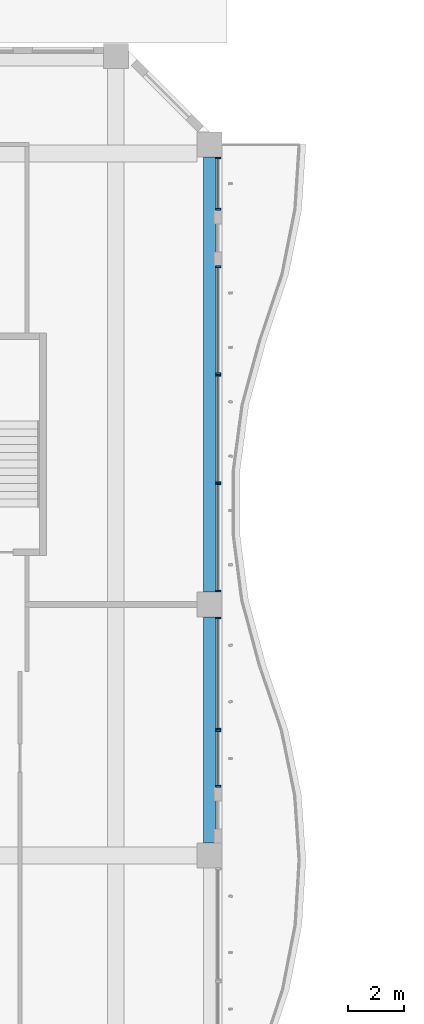
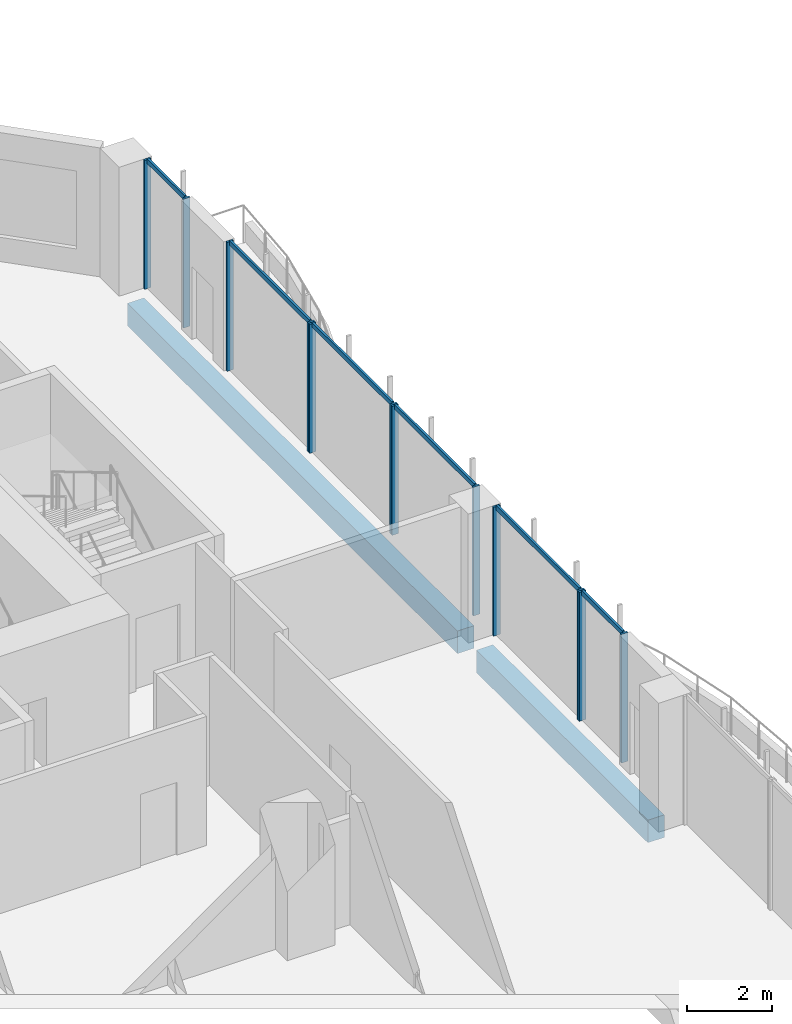
# One storey, part 9 of 29: 18 members, 2 beams, 6 elements without a shape of their own.
"""IFC4 building model written with IfcOpenShell, lengths in metres."""

from ifc_helpers import new_model, si_unit, direction, frame, origin, origin_2d, place, context, subcontext, project, spatial, rectangle, extrude, source, transform, mapped, material, material_profile, profile_set, type_object, element, aggregate, save


model = new_model("IFC4")

# Units and contexts
model_context = context("Model", 3, precision=1e-05, world=origin(), true_north=direction((0.0, 1.0)))
body_context = subcontext(model_context, "Body", "Model", "MODEL_VIEW")
ifc_project = project(units=[si_unit("LENGTHUNIT", "METRE"), si_unit("AREAUNIT", "SQUARE_METRE"), si_unit("VOLUMEUNIT", "CUBIC_METRE"), si_unit("PLANEANGLEUNIT", "RADIAN"), si_unit("MASSUNIT", "GRAM", prefix="KILO")], contexts=[model_context])

# Site, building, storey
site_placement = place(None, origin())
site = spatial("IfcSite", under=ifc_project, at=site_placement, CompositionType="ELEMENT")
building_placement = place(site_placement, origin())
building = spatial("IfcBuilding", under=site, at=building_placement, Name="Kilnfold Tower and Market Hall", CompositionType="ELEMENT")
storey_placement = place(building_placement, frame((0.0, 0.0, 27.0)))
storey = spatial("IfcBuildingStorey", under=building, at=storey_placement, Name="L05", CompositionType="ELEMENT", Elevation=27.0)

# Beams
ifc_material_1 = material(Name="Concrete C45", Category="concrete")
ifc_material_profile_1 = material_profile(ifc_material_1, rectangle(XDim=0.449951171875, YDim=0.64990234375, at=origin_2d()), Name="RC 450x650")
ifc_profile_set_1 = profile_set([ifc_material_profile_1], Name="Concrete C45")
beam_type = type_object("IfcBeamType", Name="EDGE BEAM 450X650 C45", PredefinedType="BEAM", material=ifc_profile_set_1)
shared_shape_1 = source(origin(), body_context, "Body", "SweptSolid", [
    extrude(rectangle(XDim=0.449951171875, YDim=0.64990234375, at=origin_2d()), origin(), (0.0, 0.0, 1.0), 8.10009765625),
])
beam_1_placement = place(storey_placement, frame((27.550048828125, -0.550048828125, -0.60498046875), z_axis=(0.0, 1.0, 0.0), x_axis=(-1.0, 0.0, 0.0)))
element("IfcBeam", 1, at=beam_1_placement, inside=storey, type_object=beam_type, Name="Beam EB650-B1.53", PredefinedType="BEAM", context=body_context, shape_type="MappedRepresentation", body=[
    mapped(shared_shape_1, transform((0.0, 0.0, 0.0))),
])
shared_shape_2 = source(origin(), body_context, "Body", "SweptSolid", [
    extrude(rectangle(XDim=0.449951171875, YDim=0.64990234375, at=origin_2d()), origin(), (0.0, 0.0, 1.0), 15.60009765625),
])
beam_2_placement = place(storey_placement, frame((27.550048828125, 8.449951171875, -0.60498046875), z_axis=(0.0, 1.0, 0.0), x_axis=(-1.0, 0.0, 0.0)))
element("IfcBeam", 2, at=beam_2_placement, inside=storey, type_object=beam_type, Name="Beam EB650-B1.59", PredefinedType="BEAM", context=body_context, shape_type="MappedRepresentation", body=[
    mapped(shared_shape_2, transform((0.0, 0.0, 0.0))),
])

# Curtain wall, members
ifc_material_2 = material(Name="Aluminium and double glazing", Category="aluminium")
curtain_wall_type = type_object("IfcCurtainWallType", Name="CW OF1 VALLEY GLAZING", PredefinedType="NOTDEFINED", material=ifc_material_2)
curtain_wall_1_placement = place(storey_placement, origin())
curtain_wall_1 = element("IfcCurtainWall", 3, at=curtain_wall_1_placement, inside=storey, type_object=curtain_wall_type, Name="Curtain wall CW1 L05 E", PredefinedType="NOTDEFINED")
ifc_material_3 = material(Name="Aluminium", Category="aluminium")
ifc_material_profile_2 = material_profile(ifc_material_3, rectangle(XDim=0.06005859375, YDim=0.179931640625, at=origin_2d()), Name="MULLION 60x180")
ifc_profile_set_2 = profile_set([ifc_material_profile_2], Name="Aluminium")
member_type_1 = type_object("IfcMemberType", Name="MULLION 60X180", PredefinedType="MULLION", material=ifc_profile_set_2)
shared_shape_3 = source(origin(), body_context, "Body", "SweptSolid", [
    extrude(rectangle(XDim=0.06005859375, YDim=0.179931640625, at=origin_2d()), origin(), (0.0, 0.0, 1.0), 3.719970703125),
])
member_1_placement = place(storey_placement, frame((27.85009765625, 1.47998046875, 0.0), z_axis=(0.0, 0.0, 1.0), x_axis=(0.0, 1.0, 0.0)))
member_1 = element("IfcMember", 4, at=member_1_placement, type_object=member_type_1, Name="CW1 mullion 1", PredefinedType="MULLION", context=body_context, shape_type="MappedRepresentation", body=[
    mapped(shared_shape_3, transform((0.0, 0.0, 0.0))),
])
member_2_placement = place(storey_placement, frame((27.85009765625, 3.469970703125, 0.0), z_axis=(0.0, 0.0, 1.0), x_axis=(0.0, 1.0, 0.0)))
member_2 = element("IfcMember", 5, at=member_2_placement, type_object=member_type_1, Name="CW1 mullion 2", PredefinedType="MULLION", context=body_context, shape_type="MappedRepresentation", body=[
    mapped(shared_shape_3, transform((0.0, 0.0, 0.0))),
])

curtain_wall_2_placement = place(storey_placement, origin())
curtain_wall_2 = element("IfcCurtainWall", 6, at=curtain_wall_2_placement, inside=storey, type_object=curtain_wall_type, Name="Curtain wall CW1 L05 E", PredefinedType="NOTDEFINED")
member_3_placement = place(storey_placement, frame((27.85009765625, 3.530029296875, 0.0), z_axis=(0.0, 0.0, 1.0), x_axis=(0.0, 1.0, 0.0)))
member_3 = element("IfcMember", 7, at=member_3_placement, type_object=member_type_1, Name="CW1 mullion 1", PredefinedType="MULLION", context=body_context, shape_type="MappedRepresentation", body=[
    mapped(shared_shape_3, transform((0.0, 0.0, 0.0))),
])
member_4_placement = place(storey_placement, frame((27.85009765625, 7.52001953125, 0.0), z_axis=(0.0, 0.0, 1.0), x_axis=(0.0, 1.0, 0.0)))
member_4 = element("IfcMember", 8, at=member_4_placement, type_object=member_type_1, Name="CW1 mullion 2", PredefinedType="MULLION", context=body_context, shape_type="MappedRepresentation", body=[
    mapped(shared_shape_3, transform((0.0, 0.0, 0.0))),
])

curtain_wall_3_placement = place(storey_placement, origin())
curtain_wall_3 = element("IfcCurtainWall", 9, at=curtain_wall_3_placement, inside=storey, type_object=curtain_wall_type, Name="Curtain wall CW1 L05 E", PredefinedType="NOTDEFINED")
member_5_placement = place(storey_placement, frame((27.85009765625, 8.47998046875, 0.0), z_axis=(0.0, 0.0, 1.0), x_axis=(0.0, 1.0, 0.0)))
member_5 = element("IfcMember", 10, at=member_5_placement, type_object=member_type_1, Name="CW1 mullion 1", PredefinedType="MULLION", context=body_context, shape_type="MappedRepresentation", body=[
    mapped(shared_shape_3, transform((0.0, 0.0, 0.0))),
])
member_6_placement = place(storey_placement, frame((27.85009765625, 12.320068359375, 0.0), z_axis=(0.0, 0.0, 1.0), x_axis=(0.0, 1.0, 0.0)))
member_6 = element("IfcMember", 11, at=member_6_placement, type_object=member_type_1, Name="CW1 mullion 2", PredefinedType="MULLION", context=body_context, shape_type="MappedRepresentation", body=[
    mapped(shared_shape_3, transform((0.0, 0.0, 0.0))),
])

curtain_wall_4_placement = place(storey_placement, origin())
curtain_wall_4 = element("IfcCurtainWall", 12, at=curtain_wall_4_placement, inside=storey, type_object=curtain_wall_type, Name="Curtain wall CW1 L05 E", PredefinedType="NOTDEFINED")
member_7_placement = place(storey_placement, frame((27.85009765625, 12.3798828125, 0.0), z_axis=(0.0, 0.0, 1.0), x_axis=(0.0, 1.0, 0.0)))
member_7 = element("IfcMember", 13, at=member_7_placement, type_object=member_type_1, Name="CW1 mullion 1", PredefinedType="MULLION", context=body_context, shape_type="MappedRepresentation", body=[
    mapped(shared_shape_3, transform((0.0, 0.0, 0.0))),
])
member_8_placement = place(storey_placement, frame((27.85009765625, 16.219970703125, 0.0), z_axis=(0.0, 0.0, 1.0), x_axis=(0.0, 1.0, 0.0)))
member_8 = element("IfcMember", 14, at=member_8_placement, type_object=member_type_1, Name="CW1 mullion 2", PredefinedType="MULLION", context=body_context, shape_type="MappedRepresentation", body=[
    mapped(shared_shape_3, transform((0.0, 0.0, 0.0))),
])

curtain_wall_5_placement = place(storey_placement, origin())
curtain_wall_5 = element("IfcCurtainWall", 15, at=curtain_wall_5_placement, inside=storey, type_object=curtain_wall_type, Name="Curtain wall CW1 L05 E", PredefinedType="NOTDEFINED")
member_9_placement = place(storey_placement, frame((27.85009765625, 16.280029296875, 0.0), z_axis=(0.0, 0.0, 1.0), x_axis=(0.0, 1.0, 0.0)))
member_9 = element("IfcMember", 16, at=member_9_placement, type_object=member_type_1, Name="CW1 mullion 1", PredefinedType="MULLION", context=body_context, shape_type="MappedRepresentation", body=[
    mapped(shared_shape_3, transform((0.0, 0.0, 0.0))),
])
member_10_placement = place(storey_placement, frame((27.85009765625, 20.1201171875, 0.0), z_axis=(0.0, 0.0, 1.0), x_axis=(0.0, 1.0, 0.0)))
member_10 = element("IfcMember", 17, at=member_10_placement, type_object=member_type_1, Name="CW1 mullion 2", PredefinedType="MULLION", context=body_context, shape_type="MappedRepresentation", body=[
    mapped(shared_shape_3, transform((0.0, 0.0, 0.0))),
])

curtain_wall_6_placement = place(storey_placement, origin())
curtain_wall_6 = element("IfcCurtainWall", 18, at=curtain_wall_6_placement, inside=storey, type_object=curtain_wall_type, Name="Curtain wall CW1 L05 E", PredefinedType="NOTDEFINED")
member_11_placement = place(storey_placement, frame((27.85009765625, 22.179931640625, 0.0), z_axis=(0.0, 0.0, 1.0), x_axis=(0.0, 1.0, 0.0)))
member_11 = element("IfcMember", 19, at=member_11_placement, type_object=member_type_1, Name="CW1 mullion 1", PredefinedType="MULLION", context=body_context, shape_type="MappedRepresentation", body=[
    mapped(shared_shape_3, transform((0.0, 0.0, 0.0))),
])
member_12_placement = place(storey_placement, frame((27.85009765625, 24.02001953125, 0.0), z_axis=(0.0, 0.0, 1.0), x_axis=(0.0, 1.0, 0.0)))
member_12 = element("IfcMember", 20, at=member_12_placement, type_object=member_type_1, Name="CW1 mullion 2", PredefinedType="MULLION", context=body_context, shape_type="MappedRepresentation", body=[
    mapped(shared_shape_3, transform((0.0, 0.0, 0.0))),
])

# Member
ifc_material_4 = material(Name="Aluminium", Category="aluminium")
ifc_material_profile_3 = material_profile(ifc_material_4, rectangle(XDim=0.06005859375, YDim=0.139892578125, at=origin_2d()), Name="TRANSOM 60x140")
ifc_profile_set_3 = profile_set([ifc_material_profile_3], Name="Aluminium")
member_type_2 = type_object("IfcMemberType", Name="TRANSOM 60X140", PredefinedType="USERDEFINED", material=ifc_profile_set_3)
shared_shape_4 = source(origin(), body_context, "Body", "SweptSolid", [
    extrude(rectangle(XDim=0.06005859375, YDim=0.139892578125, at=origin_2d()), origin(), (0.0, 0.0, 1.0), 3.929931640625),
])
member_13_placement = place(storey_placement, frame((27.85009765625, 3.56005859375, 3.68994140625), z_axis=(0.0, 1.0, 0.0), x_axis=(-1.0, 0.0, 0.0)))
member_13 = element("IfcMember", 21, at=member_13_placement, type_object=member_type_2, Name="CW1 transom 1.2", ObjectType="TRANSOM", PredefinedType="USERDEFINED", context=body_context, shape_type="MappedRepresentation", body=[
    mapped(shared_shape_4, transform((0.0, 0.0, 0.0))),
])

aggregate(curtain_wall_2, [member_3, member_4, member_13])

shared_shape_5 = source(origin(), body_context, "Body", "SweptSolid", [
    extrude(rectangle(XDim=0.06005859375, YDim=0.139892578125, at=origin_2d()), origin(), (0.0, 0.0, 1.0), 1.929931640625),
])
member_14_placement = place(storey_placement, frame((27.85009765625, 1.510009765625, 3.68994140625), z_axis=(0.0, 1.0, 0.0), x_axis=(-1.0, 0.0, 0.0)))
member_14 = element("IfcMember", 22, at=member_14_placement, type_object=member_type_2, Name="CW1 transom 1.2", ObjectType="TRANSOM", PredefinedType="USERDEFINED", context=body_context, shape_type="MappedRepresentation", body=[
    mapped(shared_shape_5, transform((0.0, 0.0, 0.0))),
])

aggregate(curtain_wall_1, [member_1, member_2, member_14])

shared_shape_6 = source(origin(), body_context, "Body", "SweptSolid", [
    extrude(rectangle(XDim=0.06005859375, YDim=0.139892578125, at=origin_2d()), origin(), (0.0, 0.0, 1.0), 3.780029296875),
])
member_15_placement = place(storey_placement, frame((27.85009765625, 8.510009765625, 3.68994140625), z_axis=(0.0, 1.0, 0.0), x_axis=(-1.0, 0.0, 0.0)))
member_15 = element("IfcMember", 23, at=member_15_placement, type_object=member_type_2, Name="CW1 transom 1.2", ObjectType="TRANSOM", PredefinedType="USERDEFINED", context=body_context, shape_type="MappedRepresentation", body=[
    mapped(shared_shape_6, transform((0.0, 0.0, 0.0))),
])

aggregate(curtain_wall_3, [member_5, member_6, member_15])

member_16_placement = place(storey_placement, frame((27.85009765625, 12.409912109375, 3.68994140625), z_axis=(0.0, 1.0, 0.0), x_axis=(-1.0, 0.0, 0.0)))
member_16 = element("IfcMember", 24, at=member_16_placement, type_object=member_type_2, Name="CW1 transom 1.2", ObjectType="TRANSOM", PredefinedType="USERDEFINED", context=body_context, shape_type="MappedRepresentation", body=[
    mapped(shared_shape_6, transform((0.0, 0.0, 0.0))),
])

aggregate(curtain_wall_4, [member_7, member_8, member_16])

member_17_placement = place(storey_placement, frame((27.85009765625, 16.31005859375, 3.68994140625), z_axis=(0.0, 1.0, 0.0), x_axis=(-1.0, 0.0, 0.0)))
member_17 = element("IfcMember", 25, at=member_17_placement, type_object=member_type_2, Name="CW1 transom 1.2", ObjectType="TRANSOM", PredefinedType="USERDEFINED", context=body_context, shape_type="MappedRepresentation", body=[
    mapped(shared_shape_6, transform((0.0, 0.0, 0.0))),
])

aggregate(curtain_wall_5, [member_9, member_10, member_17])

shared_shape_7 = source(origin(), body_context, "Body", "SweptSolid", [
    extrude(rectangle(XDim=0.06005859375, YDim=0.139892578125, at=origin_2d()), origin(), (0.0, 0.0, 1.0), 1.780029296875),
])
member_18_placement = place(storey_placement, frame((27.85009765625, 22.2099609375, 3.68994140625), z_axis=(0.0, 1.0, 0.0), x_axis=(-1.0, 0.0, 0.0)))
member_18 = element("IfcMember", 26, at=member_18_placement, type_object=member_type_2, Name="CW1 transom 1.2", ObjectType="TRANSOM", PredefinedType="USERDEFINED", context=body_context, shape_type="MappedRepresentation", body=[
    mapped(shared_shape_7, transform((0.0, 0.0, 0.0))),
])

aggregate(curtain_wall_6, [member_11, member_12, member_18])

save(model, "model.ifc")
